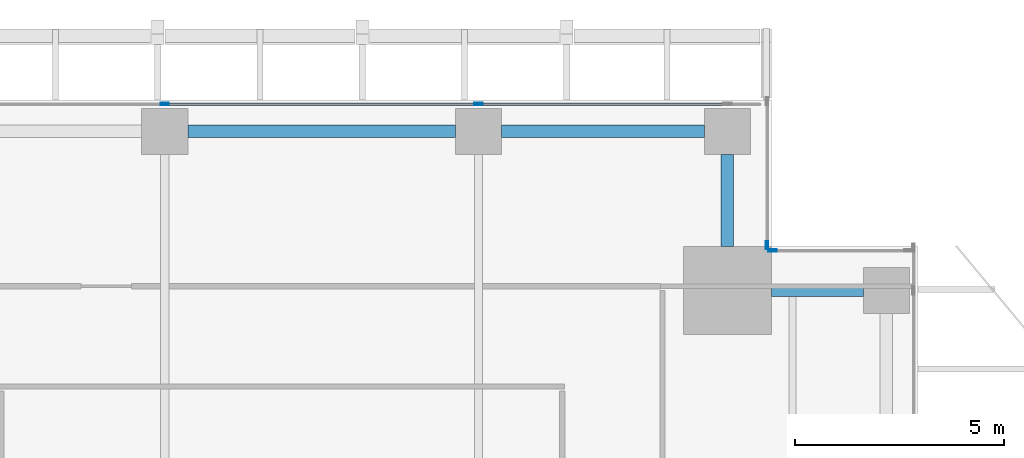
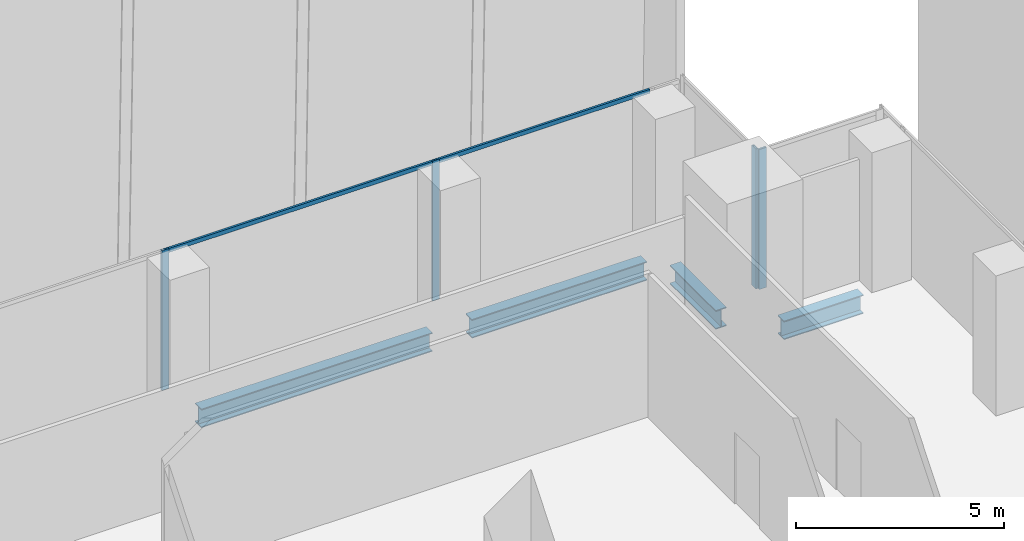
# One storey, part 20 of 36: 6 members, 4 beams, 3 elements without a shape of their own.
"""IFC4 building model written with IfcOpenShell, lengths in metres."""

from ifc_helpers import new_model, si_unit, direction, frame, origin, origin_2d, place, context, subcontext, project, spatial, hollow_rectangle, i_section, extrude, source, transform, mapped, material, material_profile, profile_set, type_object, element, aggregate, save


model = new_model("IFC4")

# Units and contexts
model_context = context("Model", 3, precision=1e-05, world=origin(), true_north=direction((0.0, 1.0)))
body_context = subcontext(model_context, "Body", "Model", "MODEL_VIEW")
ifc_project = project(units=[si_unit("LENGTHUNIT", "METRE"), si_unit("AREAUNIT", "SQUARE_METRE"), si_unit("VOLUMEUNIT", "CUBIC_METRE"), si_unit("PLANEANGLEUNIT", "RADIAN"), si_unit("MASSUNIT", "GRAM", prefix="KILO")], contexts=[model_context])

# Site, building, storey
site_placement = place(None, origin())
site = spatial("IfcSite", under=ifc_project, at=site_placement, CompositionType="ELEMENT")
building_placement = place(site_placement, origin())
building = spatial("IfcBuilding", under=site, at=building_placement, Name="Khomas Fold Tower", CompositionType="ELEMENT")
storey_placement = place(building_placement, frame((0.0, 0.0, 141.10009765625)))
storey = spatial("IfcBuildingStorey", under=building, at=storey_placement, Name="L30", CompositionType="ELEMENT", Elevation=141.10009765625)

# Beams
ifc_material_1 = material(Name="Steel S355", Category="steel")
ifc_material_profile_1 = material_profile(ifc_material_1, i_section(OverallWidth=0.300048828125, OverallDepth=0.550048828125, WebThickness=0.014892578125, FlangeThickness=0.029052734375, at=origin_2d()), Name="HE 550 B")
ifc_profile_set_1 = profile_set([ifc_material_profile_1], Name="Steel S355")
beam_type = type_object("IfcBeamType", Name="HE 550 B spandrel SB2", PredefinedType="SPANDREL", material=ifc_profile_set_1)
shared_shape_1 = source(origin(), body_context, "Body", "SweptSolid", [
    extrude(i_section(OverallWidth=0.300048828125, OverallDepth=0.550048828125, WebThickness=0.014892578125, FlangeThickness=0.029052734375, at=origin_2d()), origin(), (0.0, 0.0, 1.0), 4.849853515625),
])
beam_1_placement = place(storey_placement, frame((42.550048828125, 51.75, -0.5751953125), z_axis=(1.0, 0.0, 0.0), x_axis=(0.0, 1.0, 0.0)))
element("IfcBeam", 1, at=beam_1_placement, inside=storey, type_object=beam_type, Name="SB2", PredefinedType="SPANDREL", context=body_context, shape_type="MappedRepresentation", body=[
    mapped(shared_shape_1, transform((0.0, 0.0, 0.0))),
])
shared_shape_2 = source(origin(), body_context, "Body", "SweptSolid", [
    extrude(i_section(OverallWidth=0.300048828125, OverallDepth=0.550048828125, WebThickness=0.014892578125, FlangeThickness=0.029052734375, at=origin_2d()), origin(), (0.0, 0.0, 1.0), 6.39990234375),
])
beam_2_placement = place(storey_placement, frame((35.050048828125, 51.75, -0.5751953125), z_axis=(1.0, 0.0, 0.0), x_axis=(0.0, 1.0, 0.0)))
element("IfcBeam", 2, at=beam_2_placement, inside=storey, type_object=beam_type, Name="SB2", PredefinedType="SPANDREL", context=body_context, shape_type="MappedRepresentation", body=[
    mapped(shared_shape_2, transform((0.0, 0.0, 0.0))),
])
shared_shape_3 = source(origin(), body_context, "Body", "SweptSolid", [
    extrude(i_section(OverallWidth=0.300048828125, OverallDepth=0.550048828125, WebThickness=0.014892578125, FlangeThickness=0.029052734375, at=origin_2d()), origin(), (0.0, 0.0, 1.0), 2.199951171875),
])
for number, where, z_axis, x_axis, name in (
    (3, (49.0, 47.949951171875, -0.5751953125), (1.0, 0.0, 0.0), (0.0, 1.0, 0.0), "SB2"),
    (4, (47.949951171875, 49.0, -0.5751953125), (0.0, 1.0, 0.0), (-1.0, 0.0, 0.0), "SB2"),
):
    element("IfcBeam", number, at=place(storey_placement, frame(where, z_axis=z_axis, x_axis=x_axis)), inside=storey, type_object=beam_type, Name=name, PredefinedType="SPANDREL", context=body_context, shape_type="MappedRepresentation", body=[
        mapped(shared_shape_3, transform((0.0, 0.0, 0.0))),
    ])

# Curtain wall, members
ifc_material_2 = material(Name="Aluminium framed double glazing", Category="aluminium")
curtain_wall_type = type_object("IfcCurtainWallType", Name="SK-Unitised clear-glass wall, growing floors CW1", PredefinedType="NOTDEFINED", material=ifc_material_2)
curtain_wall_1_placement = place(storey_placement, origin())
curtain_wall_1 = element("IfcCurtainWall", 5, at=curtain_wall_1_placement, inside=storey, type_object=curtain_wall_type, Name="CW1 run L30 06-0", PredefinedType="NOTDEFINED")
ifc_material_3 = material(Name="Aluminium", Category="aluminium")
ifc_material_profile_2 = material_profile(ifc_material_3, hollow_rectangle(XDim=0.06005859375, YDim=0.1201171875, WallThickness=0.00390625, at=origin_2d()), Name="SK-Unitised clear-glass wall, growing floors transom CW1-T")
ifc_profile_set_2 = profile_set([ifc_material_profile_2], Name="Aluminium")
member_type_1 = type_object("IfcMemberType", Name="SK-Unitised clear-glass wall, growing floors transom CW1-T", PredefinedType="USERDEFINED", material=ifc_profile_set_2)
shared_shape_4 = source(origin(), body_context, "Body", "SweptSolid", [
    extrude(hollow_rectangle(XDim=0.06005859375, YDim=0.1201171875, WallThickness=0.00390625, at=origin_2d()), origin(), (0.0, 0.0, 1.0), 7.43994140625),
])
member_1_placement = place(storey_placement, frame((41.969970703125, 52.39990234375, 4.039794921875), z_axis=(-1.0, 0.0, 0.0), x_axis=(0.0, -1.0, 0.0)))
member_1 = element("IfcMember", 6, at=member_1_placement, type_object=member_type_1, Name="CW1 transom 3", ObjectType="TRANSOM", PredefinedType="USERDEFINED", context=body_context, shape_type="MappedRepresentation", body=[
    mapped(shared_shape_4, transform((0.0, 0.0, 0.0))),
])
shared_shape_5 = source(origin(), body_context, "Body", "SweptSolid", [
    extrude(hollow_rectangle(XDim=0.06005859375, YDim=0.1201171875, WallThickness=0.00390625, at=origin_2d()), origin(), (0.0, 0.0, 1.0), 5.889892578125),
])
member_2_placement = place(storey_placement, frame((47.919921875, 52.39990234375, 4.039794921875), z_axis=(-1.0, 0.0, 0.0), x_axis=(0.0, -1.0, 0.0)))
member_2 = element("IfcMember", 7, at=member_2_placement, type_object=member_type_1, Name="CW1 transom 2", ObjectType="TRANSOM", PredefinedType="USERDEFINED", context=body_context, shape_type="MappedRepresentation", body=[
    mapped(shared_shape_5, transform((0.0, 0.0, 0.0))),
])

# Curtain wall, member
curtain_wall_2_placement = place(storey_placement, origin())
curtain_wall_2 = element("IfcCurtainWall", 8, at=curtain_wall_2_placement, inside=storey, type_object=curtain_wall_type, Name="CW1 corner return L30 04", PredefinedType="NOTDEFINED")
ifc_material_4 = material(Name="Aluminium", Category="aluminium")
ifc_material_profile_3 = material_profile(ifc_material_4, hollow_rectangle(XDim=0.06005859375, YDim=0.199951171875, WallThickness=0.00390625, at=origin_2d()), Name="SK-Unitised clear-glass wall, growing floors mullion CW1-M")
ifc_profile_set_3 = profile_set([ifc_material_profile_3], Name="Aluminium")
member_type_2 = type_object("IfcMemberType", Name="SK-Unitised clear-glass wall, growing floors mullion CW1-M", PredefinedType="MULLION", material=ifc_profile_set_3)
shared_shape_6 = source(origin(), body_context, "Body", "SweptSolid", [
    extrude(hollow_rectangle(XDim=0.06005859375, YDim=0.199951171875, WallThickness=0.00390625, at=origin_2d()), origin(), (0.0, 0.0, 1.0), 4.099853515625),
])
member_3_placement = place(storey_placement, frame((49.030029296875, 48.89990234375, 0.0), z_axis=(0.0, 0.0, 1.0), x_axis=(0.0, -1.0, 0.0)))
member_3 = element("IfcMember", 9, at=member_3_placement, type_object=member_type_2, Name="CW1 mullion 2", PredefinedType="MULLION", context=body_context, shape_type="MappedRepresentation", body=[
    mapped(shared_shape_6, transform((0.0, 0.0, 0.0))),
])
aggregate(curtain_wall_2, [member_3])

curtain_wall_3_placement = place(storey_placement, origin())
curtain_wall_3 = element("IfcCurtainWall", 10, at=curtain_wall_3_placement, inside=storey, type_object=curtain_wall_type, Name="CW1 corner return L30 05", PredefinedType="NOTDEFINED")
member_4_placement = place(storey_placement, frame((48.89990234375, 49.030029296875, 0.0), z_axis=(0.0, 0.0, 1.0), x_axis=(-1.0, 0.0, 0.0)))
member_4 = element("IfcMember", 11, at=member_4_placement, type_object=member_type_2, Name="CW1 mullion 1", PredefinedType="MULLION", context=body_context, shape_type="MappedRepresentation", body=[
    mapped(shared_shape_6, transform((0.0, 0.0, 0.0))),
])
aggregate(curtain_wall_3, [member_4])

# Member
member_5_placement = place(storey_placement, frame((42.0, 52.39990234375, 0.0), z_axis=(0.0, 0.0, 1.0), x_axis=(0.0, -1.0, 0.0)))
member_5 = element("IfcMember", 12, at=member_5_placement, type_object=member_type_2, Name="CW1 mullion 3", PredefinedType="MULLION", context=body_context, shape_type="MappedRepresentation", body=[
    mapped(shared_shape_6, transform((0.0, 0.0, 0.0))),
])

member_6_placement = place(storey_placement, frame((34.5, 52.39990234375, 0.0), z_axis=(0.0, 0.0, 1.0), x_axis=(0.0, -1.0, 0.0)))
member_6 = element("IfcMember", 13, at=member_6_placement, type_object=member_type_2, Name="CW1 mullion 4", PredefinedType="MULLION", context=body_context, shape_type="MappedRepresentation", body=[
    mapped(shared_shape_6, transform((0.0, 0.0, 0.0))),
])

aggregate(curtain_wall_1, [member_5, member_6, member_2, member_1])

save(model, "model.ifc")
